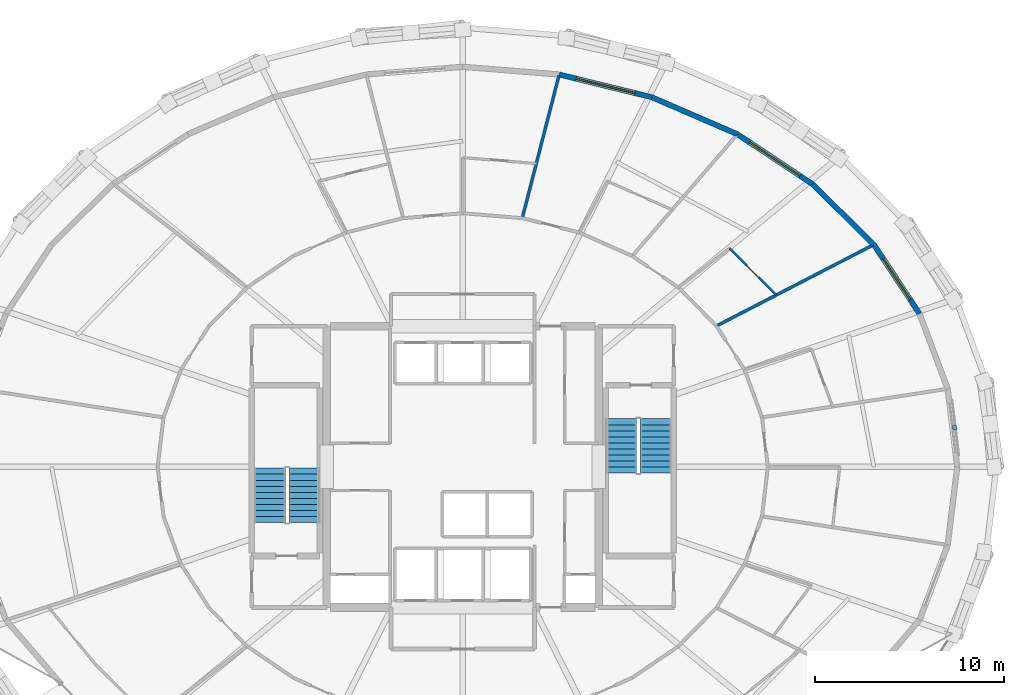
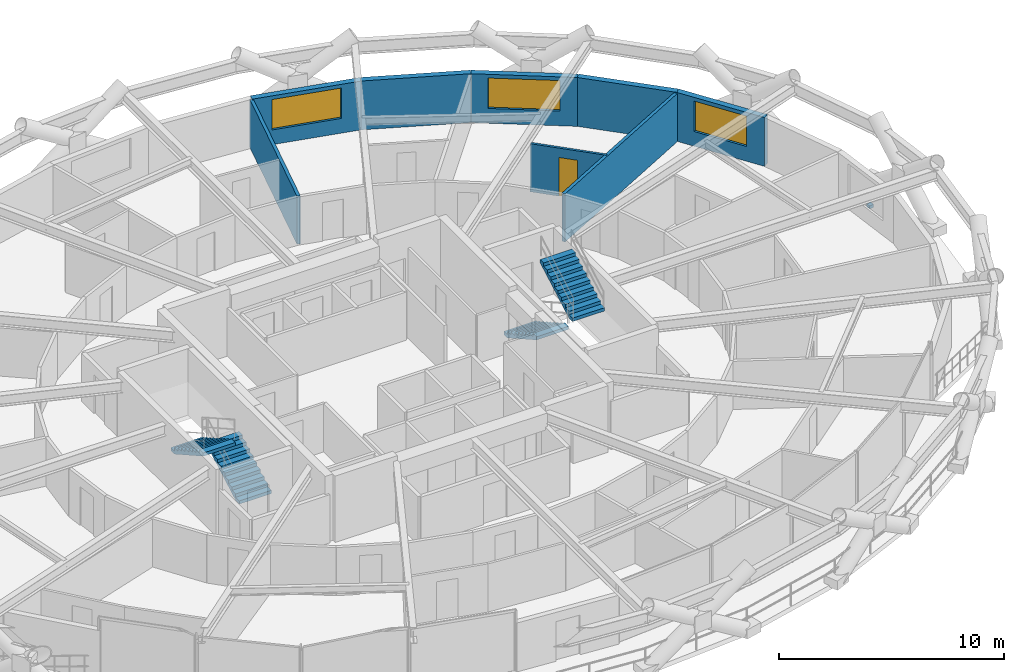
# One storey, part 17 of 19: 8 walls, 4 stair flights, 3 windows, 1 discrete accessory, 1 door, 4 openings, 2 elements without a shape of their own.
"""IFC4 building model written with IfcOpenShell, lengths in metres."""

import ifcopenshell
import ifcopenshell.guid

model = None  # the IFC model being written
_history = None  # IfcOwnerHistory: only IFC2X3 demands one
_inside = {}  # id of a spatial element -> (the spatial element, [elements in it])
_under = {}  # id of a project, library or spatial element -> (it, [spatial elements below it])
_declared = {}  # id of a project -> (the project, [libraries it declares])
_typed = {}  # id of a type object -> (the type object, [elements of that type])
_made_of = {}  # id of a material, layer set ... -> (it, [elements and type objects made of it])


def new_model(schema):
    """Start an empty IFC model of exactly this schema.

    Asked for "IFC4X3", IfcOpenShell would pick the latest addendum, in which some entities
    have other attributes; the version numbers below select the first issue.
    IFC2X3 requires an IfcOwnerHistory on every rooted entity: one is made here for all.
    """
    global model, _history
    if schema == "IFC4X3":
        model = ifcopenshell.file(schema_version=(4, 3, 0, 0))
    else:
        model = ifcopenshell.file(schema=schema)
    _inside.clear()
    _under.clear()
    _declared.clear()
    _typed.clear()
    _made_of.clear()
    _history = None
    if model.schema == "IFC2X3":
        org = make("IfcOrganization", Name="unknown")
        user = make(
            "IfcPersonAndOrganization",
            ThePerson=make("IfcPerson", FamilyName="unknown"),
            TheOrganization=org,
        )
        app = make(
            "IfcApplication",
            ApplicationDeveloper=org,
            Version="unknown",
            ApplicationFullName="unknown",
            ApplicationIdentifier="unknown",
        )
        _history = make(
            "IfcOwnerHistory",
            OwningUser=user,
            OwningApplication=app,
            ChangeAction="ADDED",
            CreationDate=0,
        )
    return model


def make(cls, **values):
    """One entity of the class cls with the attributes given. An attribute that is None is left unset."""
    return model.create_entity(
        cls, **{name: value for name, value in values.items() if value is not None}
    )


def rooted(cls, **values):
    """An entity with a GlobalId (a new one), such as an element, a storey or a relation."""
    return make(cls, GlobalId=ifcopenshell.guid.new(), OwnerHistory=_history, **values)


def si_unit(unit_type, name, prefix=None):
    """IfcSIUnit, for example si_unit("LENGTHUNIT", "METRE", prefix="MILLI")."""
    return make("IfcSIUnit", UnitType=unit_type, Prefix=prefix, Name=name)


def assignment(units):
    """IfcUnitAssignment: the units of a project."""
    return None if units is None else make("IfcUnitAssignment", Units=units)


def point(xyz):
    """IfcCartesianPoint."""
    return None if xyz is None else make("IfcCartesianPoint", Coordinates=xyz)


def direction(xyz):
    """IfcDirection."""
    return None if xyz is None else make("IfcDirection", DirectionRatios=xyz)


def frame(location, z_axis=None, x_axis=None):
    """IfcAxis2Placement3D, a coordinate frame: its origin and axes. An axis left out is left unset."""
    return make(
        "IfcAxis2Placement3D",
        Location=point(location),
        Axis=direction(z_axis),
        RefDirection=direction(x_axis),
    )


def frame_2d(location, x_axis=None):
    """IfcAxis2Placement2D, a coordinate frame in the plane: its origin and x axis."""
    return make(
        "IfcAxis2Placement2D", Location=point(location), RefDirection=direction(x_axis)
    )


def origin():
    """The frame at (0, 0, 0) with its axes left unset."""
    return frame((0.0, 0.0, 0.0))


def origin_2d():
    """The frame at (0, 0) in the plane with its x axis left unset."""
    return frame_2d((0.0, 0.0))


def place(relative_to, where):
    """IfcLocalPlacement: puts the frame where relative to a parent placement (None: the world)."""
    return make(
        "IfcLocalPlacement", PlacementRelTo=relative_to, RelativePlacement=where
    )


def context(
    kind, dimensions, precision=None, world=None, true_north=None, identifier=None
):
    """IfcGeometricRepresentationContext, for example the 3D "Model" context."""
    return make(
        "IfcGeometricRepresentationContext",
        ContextIdentifier=identifier,
        ContextType=kind,
        CoordinateSpaceDimension=dimensions,
        Precision=precision,
        WorldCoordinateSystem=world,
        TrueNorth=true_north,
    )


def subcontext(parent, identifier, kind, view, scale=None):
    """IfcGeometricRepresentationSubContext, for example "Body" below "Model"."""
    return make(
        "IfcGeometricRepresentationSubContext",
        ContextIdentifier=identifier,
        ContextType=kind,
        ParentContext=parent,
        TargetScale=scale,
        TargetView=view,
    )


def project(units=None, contexts=None):
    """IfcProject with its units and contexts."""
    return rooted(
        "IfcProject",
        Name="project",
        RepresentationContexts=contexts,
        UnitsInContext=assignment(units),
    )


def spatial(cls, under=None, at=None, **own):
    """A site, building, storey or space (cls), placed at a placement, below another one or the project."""
    s = rooted(cls, ObjectPlacement=at, **own)
    if under is not None:
        _under.setdefault(under.id(), (under, []))[1].append(s)
    return s


def polyline(points):
    """IfcPolyline through the points."""
    return make("IfcPolyline", Points=[point(p) for p in points])


def profile(cls, at=None, kind="AREA", **sizes):
    """A parametric profile (cls). Its sizes go by their IFC names, for example OverallWidth=200.0."""
    return make(cls, ProfileType=kind, Position=at, **sizes)


def rectangle(**sizes):
    """IfcRectangleProfileDef."""
    return profile("IfcRectangleProfileDef", **sizes)


def outline(outer, holes=None, kind="AREA"):
    """IfcArbitraryClosedProfileDef: a profile drawn as a closed curve; with holes, ...WithVoids."""
    if holes is None:
        return make("IfcArbitraryClosedProfileDef", ProfileType=kind, OuterCurve=outer)
    return make(
        "IfcArbitraryProfileDefWithVoids",
        ProfileType=kind,
        OuterCurve=outer,
        InnerCurves=holes,
    )


def extrude(swept, where, along, depth):
    """IfcExtrudedAreaSolid: the profile swept, set in the frame where, extruded along a direction by depth."""
    return make(
        "IfcExtrudedAreaSolid",
        SweptArea=swept,
        Position=where,
        ExtrudedDirection=direction(along),
        Depth=depth,
    )


def shape(context_of_items, identifier, shape_type, items):
    """IfcShapeRepresentation: the items that make up one representation, for example the "Body"."""
    return make(
        "IfcShapeRepresentation",
        ContextOfItems=context_of_items,
        RepresentationIdentifier=identifier,
        RepresentationType=shape_type,
        Items=items,
    )


def material(Name=None, Category=None):
    """IfcMaterial."""
    return make("IfcMaterial", Name=Name, Category=Category)


def layer(
    of_material, thickness, ventilated=None, Name=None, Category=None, Priority=None
):
    """IfcMaterialLayer: one layer of a wall or slab, of a material (None: an air gap)."""
    return make(
        "IfcMaterialLayer",
        Material=of_material,
        LayerThickness=thickness,
        IsVentilated=ventilated,
        Name=Name,
        Category=Category,
        Priority=Priority,
    )


def layer_set(layers, Name=None):
    """IfcMaterialLayerSet."""
    return make("IfcMaterialLayerSet", MaterialLayers=layers, LayerSetName=Name)


def made_of(thing, what):
    """Note that an element or type object is made of a material, layer set ...; save() writes the relation."""
    if what is not None:
        _made_of.setdefault(what.id(), (what, []))[1].append(thing)
    return thing


def type_object(cls, material=None, **own):
    """A type object (cls), such as IfcWallType, which elements share."""
    return made_of(rooted(cls, **own), material)


def element(
    cls,
    number,
    at=None,
    inside=None,
    cuts=None,
    type_object=None,
    material=None,
    context=None,
    identifier="Body",
    shape_type=None,
    held_by="IfcProductDefinitionShape",
    body=None,
    shapes=None,
    **own,
):
    """One element of the class cls, such as IfcWall. Its Tag is "e" and its number.

    at: its placement. inside: the storey or other place that contains it. cuts: it is an
    opening in that element (IfcRelVoidsElement). A single representation is given by context,
    identifier, shape_type and body (its items); several are given by shapes. held_by: the class
    of the entity that holds the representations. save() writes the other relations.
    """
    e = rooted(cls, Tag="e%d" % number, ObjectPlacement=at, **own)
    if body is not None:
        shapes = [shape(context, identifier, shape_type, body)]
    if shapes is not None:
        e.Representation = make(held_by, Representations=shapes)
    if inside is not None:
        _inside.setdefault(inside.id(), (inside, []))[1].append(e)
    if cuts is not None:
        rooted(
            "IfcRelVoidsElement", RelatingBuildingElement=cuts, RelatedOpeningElement=e
        )
    if type_object is not None:
        _typed.setdefault(type_object.id(), (type_object, []))[1].append(e)
    return made_of(e, material)


def fill(opening, filler):
    """IfcRelFillsElement: the door or window that sits in an opening."""
    return rooted(
        "IfcRelFillsElement",
        RelatingOpeningElement=opening,
        RelatedBuildingElement=filler,
    )


def aggregate(whole, parts):
    """IfcRelAggregates: a whole, such as a stair, and the parts it consists of."""
    return rooted("IfcRelAggregates", RelatingObject=whole, RelatedObjects=parts)


def save(model, path):
    """Write the relations noted so far, then the file.

    IfcRelAggregates (storeys below a building ...), IfcRelContainedInSpatialStructure (elements
    in a storey), IfcRelDefinesByType, IfcRelAssociatesMaterial and IfcRelDeclares: one each for
    every whole, place, type object, material and project.
    """
    for whole, parts in _under.values():
        aggregate(whole, parts)
    for where, things in _inside.values():
        rooted(
            "IfcRelContainedInSpatialStructure",
            RelatedElements=things,
            RelatingStructure=where,
        )
    for kind, things in _typed.values():
        rooted("IfcRelDefinesByType", RelatedObjects=things, RelatingType=kind)
    for what, things in _made_of.values():
        rooted("IfcRelAssociatesMaterial", RelatedObjects=things, RelatingMaterial=what)
    for by, libraries in _declared.values():
        rooted("IfcRelDeclares", RelatingContext=by, RelatedDefinitions=libraries)
    model.write(path)


model = new_model("IFC4")

# Units and contexts
model_context = context("Model", 3, precision=1e-05, world=origin(), true_north=direction((0.0, 1.0)))
body_context = subcontext(model_context, "Body", "Model", "MODEL_VIEW")
ifc_project = project(units=[si_unit("LENGTHUNIT", "METRE"), si_unit("AREAUNIT", "SQUARE_METRE"), si_unit("VOLUMEUNIT", "CUBIC_METRE"), si_unit("PLANEANGLEUNIT", "RADIAN"), si_unit("MASSUNIT", "GRAM", prefix="KILO")], contexts=[model_context])

# Site, building, storey
site_placement = place(None, origin())
site = spatial("IfcSite", under=ifc_project, at=site_placement, CompositionType="ELEMENT")
building_placement = place(site_placement, origin())
building = spatial("IfcBuilding", under=site, at=building_placement, Name="Veldorina Hangang Commons", CompositionType="ELEMENT")
storey_placement = place(building_placement, frame((0.0, 0.0, 44.800048828125)))
storey = spatial("IfcBuildingStorey", under=building, at=storey_placement, Name="L10", CompositionType="ELEMENT", Elevation=44.800048828125)

# Wall, opening, window
ifc_material_1 = material(Name="Stone Roman Travertine", Category="masonry")
ifc_layer_1 = layer(ifc_material_1, 0.280029296875)
ifc_layer_set_1 = layer_set([ifc_layer_1], Name="Stone Roman Travertine")
wall_type_1 = type_object("IfcWallType", Name="EW-TRAV-280", PredefinedType="STANDARD", material=ifc_layer_set_1)
wall_1_placement = place(storey_placement, frame((56.197021484375, 32.109375, 0.0), z_axis=(0.0, 0.0, 1.0), x_axis=(-0.551192292831, 0.834378245356, 0.0)))
wall_1 = element("IfcWall", 1, at=wall_1_placement, inside=storey, type_object=wall_type_1, Name="L10 travertine facade wall 02", PredefinedType="STANDARD", context=body_context, shape_type="SweptSolid", body=[
    extrude(rectangle(XDim=4.390869140625, YDim=0.280029296875, at=frame_2d((2.1953125, 0.0))), origin(), (0.0, 0.0, 1.0), 2.64990234375),
])
opening_1_placement = place(wall_1_placement, frame((0.8955078125, 0.0, 0.800048828125)))
opening_1 = element("IfcOpeningElement", 2, at=opening_1_placement, cuts=wall_1, Name="Opening W-02", PredefinedType="OPENING", context=body_context, shape_type="SweptSolid", body=[
    extrude(rectangle(XDim=2.60009765625, YDim=1.64990234375, at=frame_2d((1.300048828125, 0.824951171875))), frame((0.0, 0.14990234375, 0.0), z_axis=(0.0, -1.0, 0.0), x_axis=(1.0, 0.0, 0.0)), (0.0, 0.0, 1.0), 0.300048828125),
])
ifc_material_2 = material(Name="Glass Low-E Triple IGU", Category="glass")
window_type_1 = type_object("IfcWindowType", Name="WIN-TWR-2600", PartitioningType="SINGLE_PANEL", PredefinedType="WINDOW", material=ifc_material_2)
window_1_placement = place(opening_1_placement, origin())
window_1 = element("IfcWindow", 3, at=window_1_placement, inside=storey, type_object=window_type_1, Name="L10 facade window 02", OverallHeight=1.64990234375, OverallWidth=2.60009765625, PartitioningType="SINGLE_PANEL", PredefinedType="WINDOW", context=body_context, shape_type="SweptSolid", body=[
    extrude(rectangle(XDim=2.60009765625, YDim=1.64990234375, at=frame_2d((1.300048828125, 0.824951171875))), frame((0.0, 0.030029296875, 0.0), z_axis=(0.0, -1.0, 0.0), x_axis=(1.0, 0.0, 0.0)), (0.0, 0.0, 1.0), 0.06005859375),
])
fill(opening_1, window_1)

# Wall
wall_2_placement = place(storey_placement, frame((53.77685546875, 35.77294921875, 0.0), z_axis=(0.0, 0.0, 1.0), x_axis=(-0.712106444973, 0.702071514184, 0.0)))
element("IfcWall", 4, at=wall_2_placement, inside=storey, type_object=wall_type_1, Name="L10 travertine facade wall 03", PredefinedType="STANDARD", context=body_context, shape_type="SweptSolid", body=[
    extrude(rectangle(XDim=4.573974609375, YDim=0.280029296875, at=frame_2d((2.287109375, 0.0))), origin(), (0.0, 0.0, 1.0), 2.64990234375),
])

# Wall, opening, window
wall_3_placement = place(storey_placement, frame((50.519775390625, 38.984130859375, 0.0), z_axis=(0.0, 0.0, 1.0), x_axis=(-0.833089497156, 0.55313821937, 0.0)))
wall_3 = element("IfcWall", 5, at=wall_3_placement, inside=storey, type_object=wall_type_1, Name="L10 travertine facade wall 04", PredefinedType="STANDARD", context=body_context, shape_type="SweptSolid", body=[
    extrude(rectangle(XDim=4.76416015625, YDim=0.280029296875, at=frame_2d((2.382080078125, 0.0))), origin(), (0.0, 0.0, 1.0), 2.64990234375),
])
opening_2_placement = place(wall_3_placement, frame((0.781982421875, 0.0, 0.800048828125)))
opening_2 = element("IfcOpeningElement", 6, at=opening_2_placement, cuts=wall_3, Name="Opening W-01", PredefinedType="OPENING", context=body_context, shape_type="SweptSolid", body=[
    extrude(rectangle(XDim=3.199951171875, YDim=1.64990234375, at=frame_2d((1.60009765625, 0.824951171875))), frame((0.0, 0.14990234375, 0.0), z_axis=(0.0, -1.0, 0.0), x_axis=(1.0, 0.0, 0.0)), (0.0, 0.0, 1.0), 0.300048828125),
])
window_type_2 = type_object("IfcWindowType", Name="WIN-TWR-3200", PartitioningType="SINGLE_PANEL", PredefinedType="WINDOW", material=ifc_material_2)
window_2_placement = place(opening_2_placement, origin())
window_2 = element("IfcWindow", 7, at=window_2_placement, inside=storey, type_object=window_type_2, Name="L10 facade window 04", OverallHeight=1.64990234375, OverallWidth=3.199951171875, PartitioningType="SINGLE_PANEL", PredefinedType="WINDOW", context=body_context, shape_type="SweptSolid", body=[
    extrude(rectangle(XDim=3.199951171875, YDim=1.64990234375, at=frame_2d((1.60009765625, 0.824951171875))), frame((0.0, 0.030029296875, 0.0), z_axis=(0.0, -1.0, 0.0), x_axis=(1.0, 0.0, 0.0)), (0.0, 0.0, 1.0), 0.06005859375),
])
fill(opening_2, window_2)

# Wall
wall_4_placement = place(storey_placement, frame((46.55078125, 41.619384765625, 0.0), z_axis=(0.0, 0.0, 1.0), x_axis=(-0.917844853987, 0.396939320312, 0.0)))
element("IfcWall", 8, at=wall_4_placement, inside=storey, type_object=wall_type_1, Name="L10 travertine facade wall 05", PredefinedType="STANDARD", context=body_context, shape_type="SweptSolid", body=[
    extrude(rectangle(XDim=4.933349609375, YDim=0.280029296875, at=frame_2d((2.466796875, 0.0))), origin(), (0.0, 0.0, 1.0), 2.64990234375),
])

# Wall, opening, window
wall_5_placement = place(storey_placement, frame((42.022705078125, 43.57763671875, 0.0), z_axis=(0.0, 0.0, 1.0), x_axis=(-0.971167008754, 0.238400170108, 0.0)))
wall_5 = element("IfcWall", 9, at=wall_5_placement, inside=storey, type_object=wall_type_1, Name="L10 travertine facade wall 06", PredefinedType="STANDARD", context=body_context, shape_type="SweptSolid", body=[
    extrude(rectangle(XDim=5.058837890625, YDim=0.280029296875, at=frame_2d((2.529296875, 0.0))), origin(), (0.0, 0.0, 1.0), 2.64990234375),
])
opening_3_placement = place(wall_5_placement, frame((0.929443359375, 0.0, 0.800048828125)))
opening_3 = element("IfcOpeningElement", 10, at=opening_3_placement, cuts=wall_5, Name="Opening W-01", PredefinedType="OPENING", context=body_context, shape_type="SweptSolid", body=[
    extrude(rectangle(XDim=3.199951171875, YDim=1.64990234375, at=frame_2d((1.60009765625, 0.824951171875))), frame((0.0, 0.14990234375, 0.0), z_axis=(0.0, -1.0, 0.0), x_axis=(1.0, 0.0, 0.0)), (0.0, 0.0, 1.0), 0.300048828125),
])
window_3_placement = place(opening_3_placement, origin())
window_3 = element("IfcWindow", 11, at=window_3_placement, inside=storey, type_object=window_type_2, Name="L10 facade window 06", OverallHeight=1.64990234375, OverallWidth=3.199951171875, PartitioningType="SINGLE_PANEL", PredefinedType="WINDOW", context=body_context, shape_type="SweptSolid", body=[
    extrude(rectangle(XDim=3.199951171875, YDim=1.64990234375, at=frame_2d((1.60009765625, 0.824951171875))), frame((0.0, 0.030029296875, 0.0), z_axis=(0.0, -1.0, 0.0), x_axis=(1.0, 0.0, 0.0)), (0.0, 0.0, 1.0), 0.06005859375),
])
fill(opening_3, window_3)

# Walls
ifc_material_3 = material(Name="Gypsum Fire-Rated Twin Stud Wall", Category="gypsum")
ifc_layer_2 = layer(ifc_material_3, 0.159912109375)
ifc_layer_set_2 = layer_set([ifc_layer_2], Name="Gypsum Fire-Rated Twin Stud Wall")
wall_type_2 = type_object("IfcWallType", Name="WL-FIRE-160", PredefinedType="SOLIDWALL", material=ifc_layer_set_2)
wall_6_placement = place(storey_placement, frame((45.438232421875, 31.46337890625, 0.0), z_axis=(0.0, 0.0, 1.0), x_axis=(0.888369559671, 0.459129094537, 0.0)))
element("IfcWall", 12, at=wall_6_placement, inside=storey, type_object=wall_type_2, Name="L10 Unit party wall 03 096", PredefinedType="SOLIDWALL", context=body_context, shape_type="SweptSolid", body=[
    extrude(rectangle(XDim=9.33642578125, YDim=0.159912109375, at=frame_2d((4.668212890625, 0.0))), origin(), (0.0, 0.0, 1.0), 2.60986328125),
])
wall_7_placement = place(storey_placement, frame((35.153076171875, 37.17578125, 0.0), z_axis=(0.0, 0.0, 1.0), x_axis=(0.249072893253, 0.968484741153, 0.0)))
element("IfcWall", 13, at=wall_7_placement, inside=storey, type_object=wall_type_2, Name="L10 Unit party wall 07 102", PredefinedType="SOLIDWALL", context=body_context, shape_type="SweptSolid", body=[
    extrude(rectangle(XDim=7.805419921875, YDim=0.159912109375, at=frame_2d((3.90283203125, 0.0))), origin(), (0.0, 0.0, 1.0), 2.60986328125),
])

# Wall, opening, door
ifc_material_4 = material(Name="Gypsum Acoustic Stud Partition", Category="gypsum")
ifc_layer_3 = layer(ifc_material_4, 0.1201171875)
ifc_layer_set_3 = layer_set([ifc_layer_3], Name="Gypsum Acoustic Stud Partition")
wall_type_3 = type_object("IfcWallType", Name="WL-PART-120", PredefinedType="PARTITIONING", material=ifc_layer_set_3)
wall_8_placement = place(storey_placement, frame((48.60693359375, 33.10107421875, 0.0), z_axis=(0.0, 0.0, 1.0), x_axis=(-0.707315315982, 0.706898184874, 0.0)))
wall_8 = element("IfcWall", 14, at=wall_8_placement, inside=storey, type_object=wall_type_3, Name="L10 Studio 6 bath front wall 097", PredefinedType="PARTITIONING", context=body_context, shape_type="SweptSolid", body=[
    extrude(rectangle(XDim=3.51171875, YDim=0.1201171875, at=frame_2d((1.755859375, 0.0))), origin(), (0.0, 0.0, 1.0), 2.60986328125),
])
opening_4_placement = place(wall_8_placement, frame((1.325927734375, 0.0, 0.0)))
opening_4 = element("IfcOpeningElement", 15, at=opening_4_placement, cuts=wall_8, Name="Opening D-01", PredefinedType="OPENING", context=body_context, shape_type="SweptSolid", body=[
    extrude(rectangle(XDim=0.860107421875, YDim=2.10009765625, at=frame_2d((0.43017578125, 1.050048828125))), frame((0.0, 0.070068359375, 0.0), z_axis=(0.0, -1.0, 0.0), x_axis=(1.0, 0.0, 0.0)), (0.0, 0.0, 1.0), 0.14013671875),
])
ifc_material_5 = material(Name="Timber Moisture-Resistant Core", Category="wood")
door_type = type_object("IfcDoorType", Name="DR-WET-860", OperationType="SINGLE_SWING_LEFT", PredefinedType="DOOR", material=ifc_material_5)
door_placement = place(opening_4_placement, origin())
door = element("IfcDoor", 16, at=door_placement, inside=storey, type_object=door_type, Name="L10 Studio 6 bathroom door 031", OperationType="SINGLE_SWING_LEFT", OverallHeight=2.10009765625, OverallWidth=0.860107421875, PredefinedType="DOOR", context=body_context, shape_type="SweptSolid", body=[
    extrude(rectangle(XDim=0.860107421875, YDim=2.10009765625, at=frame_2d((0.43017578125, 1.050048828125))), frame((0.0, 0.02490234375, 0.0), z_axis=(0.0, -1.0, 0.0), x_axis=(1.0, 0.0, 0.0)), (0.0, 0.0, 1.0), 0.050048828125),
])
fill(opening_4, door)

# Stair, stair flights
ifc_material_6 = material(Name="Concrete C40/50", Category="concrete")
stair_type = type_object("IfcStairType", Name="STR-DOG-1650-20R", PredefinedType="HALF_TURN_STAIR", material=ifc_material_6)
stair_1_placement = place(storey_placement, origin())
stair_1 = element("IfcStair", 17, at=stair_1_placement, inside=storey, type_object=stair_type, Name="L10 Exit stair ST-1", PredefinedType="HALF_TURN_STAIR")
stair_flight_type = type_object("IfcStairFlightType", Name="SFL-STR-1650-20R", PredefinedType="STRAIGHT", material=ifc_material_6)
stair_flight_1_placement = place(storey_placement, frame((23.625, 21.050048828125, 0.0), z_axis=(0.0, 0.0, 1.0), x_axis=(0.0, 1.0, 0.0)))
stair_flight_1 = element("IfcStairFlight", 18, at=stair_flight_1_placement, type_object=stair_flight_type, Name="ST-1 flight 1", NumberOfRisers=10, NumberOfTreads=9, PredefinedType="STRAIGHT", RiserHeight=0.18, TreadLength=0.32, context=body_context, shape_type="SweptSolid", body=[
    extrude(outline(polyline([(0.0, 0.0), (0.0, 0.179931640625), (0.320068359375, 0.179931640625), (0.320068359375, 0.360107421875), (0.639892578125, 0.360107421875), (0.639892578125, 0.5400390625), (0.9599609375, 0.5400390625), (0.9599609375, 0.719970703125), (1.280029296875, 0.719970703125), (1.280029296875, 0.89990234375), (1.60009765625, 0.89990234375), (1.60009765625, 1.080078125), (1.919921875, 1.080078125), (1.919921875, 1.260009765625), (2.239990234375, 1.260009765625), (2.239990234375, 1.43994140625), (2.56005859375, 1.43994140625), (2.56005859375, 1.6201171875), (2.8798828125, 1.6201171875), (2.8798828125, 1.800048828125), (2.8798828125, 1.447998046875), (0.3056640625, 0.0), (0.0, 0.0)])), frame((0.0, 0.824951171875, 0.0), z_axis=(0.0, -1.0, 0.0), x_axis=(1.0, 0.0, 0.0)), (0.0, 0.0, 1.0), 1.64990234375),
])
stair_flight_2_placement = place(storey_placement, frame((21.77490234375, 23.929931640625, 1.800048828125), z_axis=(0.0, 0.0, 1.0), x_axis=(0.0, -1.0, 0.0)))
stair_flight_2 = element("IfcStairFlight", 19, at=stair_flight_2_placement, type_object=stair_flight_type, Name="ST-1 flight 2", NumberOfRisers=10, NumberOfTreads=9, PredefinedType="STRAIGHT", RiserHeight=0.18, TreadLength=0.32, context=body_context, shape_type="SweptSolid", body=[
    extrude(outline(polyline([(0.0, 0.0), (0.0, 0.179931640625), (0.320068359375, 0.179931640625), (0.320068359375, 0.360107421875), (0.639892578125, 0.360107421875), (0.639892578125, 0.5400390625), (0.9599609375, 0.5400390625), (0.9599609375, 0.719970703125), (1.280029296875, 0.719970703125), (1.280029296875, 0.89990234375), (1.60009765625, 0.89990234375), (1.60009765625, 1.080078125), (1.919921875, 1.080078125), (1.919921875, 1.260009765625), (2.239990234375, 1.260009765625), (2.239990234375, 1.43994140625), (2.56005859375, 1.43994140625), (2.56005859375, 1.6201171875), (2.8798828125, 1.6201171875), (2.8798828125, 1.800048828125), (2.8798828125, 1.447998046875), (0.3056640625, 0.0), (0.0, 0.0)])), frame((0.0, 0.824951171875, 0.0), z_axis=(0.0, -1.0, 0.0), x_axis=(1.0, 0.0, 0.0)), (0.0, 0.0, 1.0), 1.64990234375),
])
aggregate(stair_1, [stair_flight_1, stair_flight_2])

stair_2_placement = place(storey_placement, origin())
stair_2 = element("IfcStair", 20, at=stair_2_placement, inside=storey, type_object=stair_type, Name="L10 Exit stair ST-2", PredefinedType="HALF_TURN_STAIR")
stair_flight_3_placement = place(storey_placement, frame((40.375, 26.550048828125, 0.0), z_axis=(0.0, 0.0, 1.0), x_axis=(0.0, -1.0, 0.0)))
stair_flight_3 = element("IfcStairFlight", 21, at=stair_flight_3_placement, type_object=stair_flight_type, Name="ST-2 flight 1", NumberOfRisers=10, NumberOfTreads=9, PredefinedType="STRAIGHT", RiserHeight=0.18, TreadLength=0.32, context=body_context, shape_type="SweptSolid", body=[
    extrude(outline(polyline([(0.0, 0.0), (0.0, 0.179931640625), (0.320068359375, 0.179931640625), (0.320068359375, 0.360107421875), (0.639892578125, 0.360107421875), (0.639892578125, 0.5400390625), (0.9599609375, 0.5400390625), (0.9599609375, 0.719970703125), (1.280029296875, 0.719970703125), (1.280029296875, 0.89990234375), (1.60009765625, 0.89990234375), (1.60009765625, 1.080078125), (1.919921875, 1.080078125), (1.919921875, 1.260009765625), (2.239990234375, 1.260009765625), (2.239990234375, 1.43994140625), (2.56005859375, 1.43994140625), (2.56005859375, 1.6201171875), (2.8798828125, 1.6201171875), (2.8798828125, 1.800048828125), (2.8798828125, 1.447998046875), (0.3056640625, 0.0), (0.0, 0.0)])), frame((0.0, 0.824951171875, 0.0), z_axis=(0.0, -1.0, 0.0), x_axis=(1.0, 0.0, 0.0)), (0.0, 0.0, 1.0), 1.64990234375),
])
stair_flight_4_placement = place(storey_placement, frame((42.22509765625, 23.669921875, 1.800048828125), z_axis=(0.0, 0.0, 1.0), x_axis=(0.0, 1.0, 0.0)))
stair_flight_4 = element("IfcStairFlight", 22, at=stair_flight_4_placement, type_object=stair_flight_type, Name="ST-2 flight 2", NumberOfRisers=10, NumberOfTreads=9, PredefinedType="STRAIGHT", RiserHeight=0.18, TreadLength=0.32, context=body_context, shape_type="SweptSolid", body=[
    extrude(outline(polyline([(0.0, 0.0), (0.0, 0.179931640625), (0.320068359375, 0.179931640625), (0.320068359375, 0.360107421875), (0.639892578125, 0.360107421875), (0.639892578125, 0.5400390625), (0.9599609375, 0.5400390625), (0.9599609375, 0.719970703125), (1.280029296875, 0.719970703125), (1.280029296875, 0.89990234375), (1.60009765625, 0.89990234375), (1.60009765625, 1.080078125), (1.919921875, 1.080078125), (1.919921875, 1.260009765625), (2.239990234375, 1.260009765625), (2.239990234375, 1.43994140625), (2.56005859375, 1.43994140625), (2.56005859375, 1.6201171875), (2.8798828125, 1.6201171875), (2.8798828125, 1.800048828125), (2.8798828125, 1.447998046875), (0.3056640625, 0.0), (0.0, 0.0)])), frame((0.0, 0.824951171875, 0.0), z_axis=(0.0, -1.0, 0.0), x_axis=(1.0, 0.0, 0.0)), (0.0, 0.0, 1.0), 1.64990234375),
])
aggregate(stair_2, [stair_flight_3, stair_flight_4])

# Discrete accessory
ifc_material_7 = material(Name="Stainless Steel Brushed 316", Category="steel")
discrete_accessory_type = type_object("IfcDiscreteAccessoryType", Name="BRK-SCR-SS", PredefinedType="BRACKET", material=ifc_material_7)
discrete_accessory_placement = place(storey_placement, frame((58.058349609375, 26.08154296875, 0.72021484375), z_axis=(0.0, 0.0, 1.0), x_axis=(-0.120829884873, 0.992673228672, 0.0)))
element("IfcDiscreteAccessory", 23, at=discrete_accessory_placement, inside=storey, type_object=discrete_accessory_type, Name="L10 solar screen support bracket 00", PredefinedType="BRACKET", context=body_context, shape_type="SweptSolid", body=[
    extrude(rectangle(XDim=0.219970703125, YDim=0.219970703125, at=origin_2d()), origin(), (0.0, 0.0, 1.0), 0.159912109375),
])

save(model, "model.ifc")
